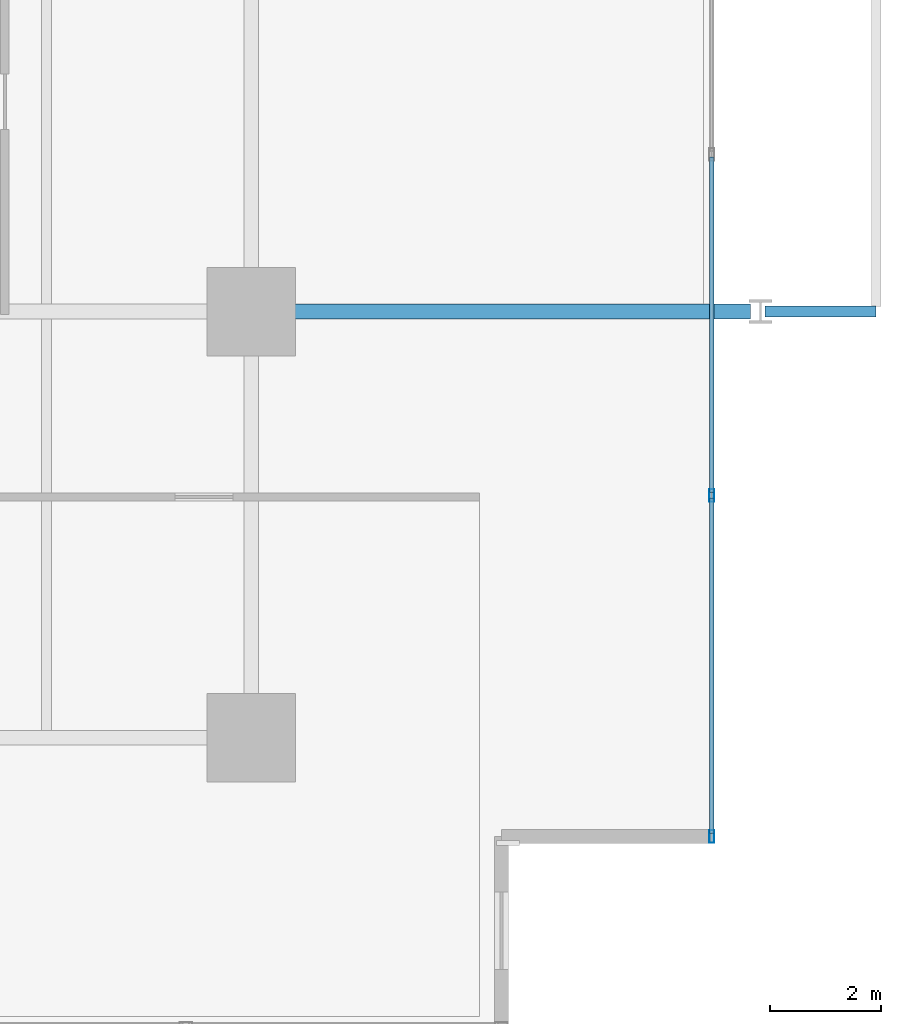
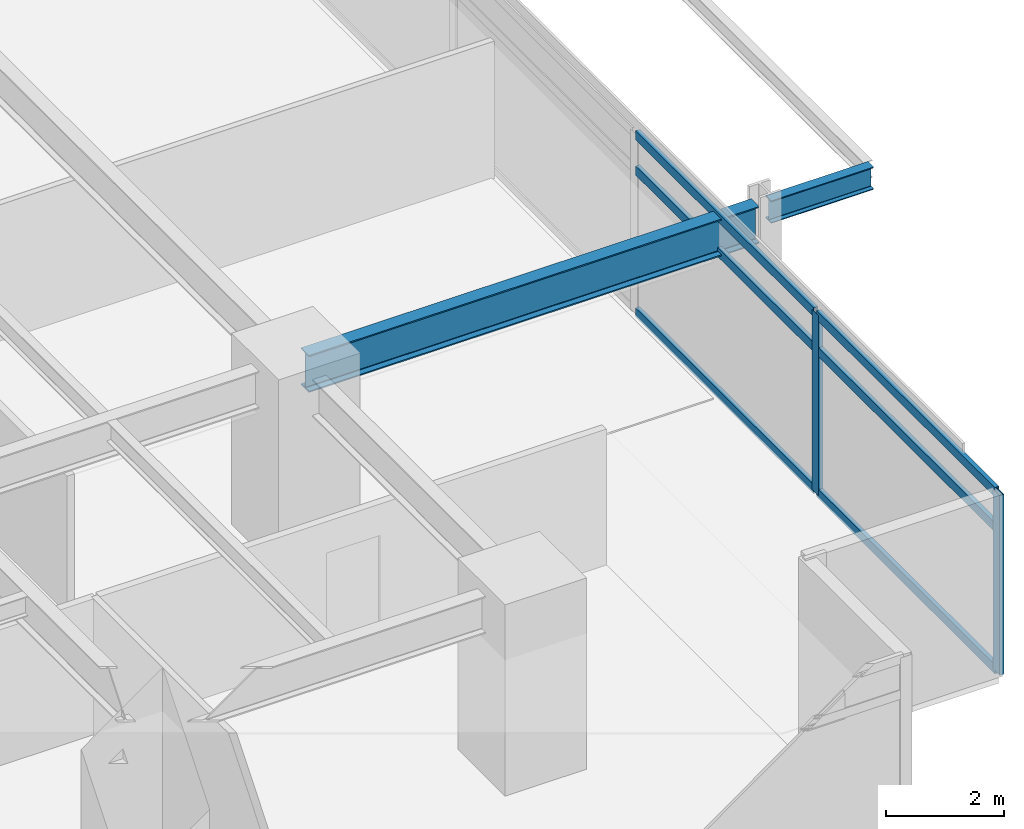
# One storey, part 8 of 23: 8 members, 2 beams, 1 element without a shape of its own.
"""IFC4 building model written with IfcOpenShell, lengths in metres."""

from ifc_helpers import new_model, si_unit, direction, frame, origin, origin_2d, place, context, subcontext, project, spatial, hollow_rectangle, i_section, extrude, material, material_profile, profile_set, type_object, element, aggregate, save


model = new_model("IFC4")

# Units and contexts
model_context = context("Model", 3, precision=1e-05, world=origin(), true_north=direction((0.0, 1.0)))
body_context = subcontext(model_context, "Body", "Model", "MODEL_VIEW")
ifc_project = project(units=[si_unit("LENGTHUNIT", "METRE"), si_unit("AREAUNIT", "SQUARE_METRE"), si_unit("VOLUMEUNIT", "CUBIC_METRE"), si_unit("PLANEANGLEUNIT", "RADIAN"), si_unit("MASSUNIT", "GRAM", prefix="KILO")], contexts=[model_context])

# Site, building, storey
site_placement = place(None, origin())
site = spatial("IfcSite", under=ifc_project, at=site_placement, CompositionType="ELEMENT")
building_placement = place(site_placement, origin())
building = spatial("IfcBuilding", under=site, at=building_placement, Name="Kovane Verandah Tower", CompositionType="ELEMENT")
storey_placement = place(building_placement, frame((0.0, 0.0, 168.39990234375)))
storey = spatial("IfcBuildingStorey", under=building, at=storey_placement, Name="L39", CompositionType="ELEMENT", Elevation=168.39990234375)

# Beam
ifc_material_1 = material(Name="Steel S355", Category="steel")
ifc_material_profile_1 = material_profile(ifc_material_1, i_section(OverallWidth=0.26806640625, OverallDepth=0.769775390625, WebThickness=0.015625, FlangeThickness=0.025390625, FilletRadius=0.0166015625, at=origin_2d()), Name="UB762x267x197")
ifc_profile_set_1 = profile_set([ifc_material_profile_1], Name="Steel S355")
beam_type_1 = type_object("IfcBeamType", Name="BM-UB762x197", PredefinedType="BEAM", material=ifc_profile_set_1)
beam_1_placement = place(storey_placement, frame((58.580078125, 18.5, 3.375244140625), z_axis=(1.0, 0.0, 0.0), x_axis=(0.0, 1.0, 0.0)))
element("IfcBeam", 1, at=beam_1_placement, inside=storey, type_object=beam_type_1, Name="L39 Primary Tower Girder G-VE1", PredefinedType="BEAM", context=body_context, shape_type="SweptSolid", body=[
    extrude(i_section(OverallWidth=0.26806640625, OverallDepth=0.769775390625, WebThickness=0.015625, FlangeThickness=0.025390625, FilletRadius=0.0166015625, at=origin_2d()), origin(), (0.0, 0.0, 1.0), 8.83984375),
])

# Curtain wall, members
ifc_material_2 = material(Name="Champagne Anodised Aluminium Frame with Low-E Clear Laminated Glass", Category="aluminium")
curtain_wall_type = type_object("IfcCurtainWallType", Name="CW-SYS-03-MID", PredefinedType="NOTDEFINED", material=ifc_material_2)
curtain_wall_placement = place(storey_placement, origin())
curtain_wall = element("IfcCurtainWall", 2, at=curtain_wall_placement, inside=storey, type_object=curtain_wall_type, Name="L39 E Unitised Curtain Wall", PredefinedType="NOTDEFINED")
ifc_material_3 = material(Name="Champagne Anodised Aluminium 6063-T6", Category="aluminium")
ifc_material_profile_2 = material_profile(ifc_material_3, hollow_rectangle(XDim=0.0849609375, YDim=0.22998046875, WallThickness=0.00390625, at=origin_2d()), Name="AL85x230x4")
ifc_profile_set_2 = profile_set([ifc_material_profile_2], Name="Champagne Anodised Aluminium 6063-T6")
member_type_1 = type_object("IfcMemberType", Name="CW-MUL-85x230", PredefinedType="MULLION", material=ifc_profile_set_2)
member_1_placement = place(storey_placement, frame((66.7197265625, 9.017822265625, 0.02001953125), z_axis=(0.0, 0.0, 1.0), x_axis=(1.0, 0.0, 0.0)))
member_1 = element("IfcMember", 3, at=member_1_placement, type_object=member_type_1, Name="L39 E Unitised Curtain Wall Mullion 1", PredefinedType="MULLION", context=body_context, shape_type="SweptSolid", body=[
    extrude(hollow_rectangle(XDim=0.0849609375, YDim=0.22998046875, WallThickness=0.00390625, at=origin_2d()), origin(), (0.0, 0.0, 1.0), 3.735107421875),
])
member_2_placement = place(storey_placement, frame((66.7197265625, 15.178466796875, 0.02001953125), z_axis=(0.0, 0.0, 1.0), x_axis=(1.0, 0.0, 0.0)))
member_2 = element("IfcMember", 4, at=member_2_placement, type_object=member_type_1, Name="L39 E Unitised Curtain Wall Mullion 2", PredefinedType="MULLION", context=body_context, shape_type="SweptSolid", body=[
    extrude(hollow_rectangle(XDim=0.0849609375, YDim=0.22998046875, WallThickness=0.00390625, at=origin_2d()), origin(), (0.0, 0.0, 1.0), 3.735107421875),
])
ifc_material_profile_3 = material_profile(ifc_material_3, hollow_rectangle(XDim=0.0849609375, YDim=0.18994140625, WallThickness=0.00390625, at=origin_2d()), Name="AL85x190x4")
ifc_profile_set_3 = profile_set([ifc_material_profile_3], Name="Champagne Anodised Aluminium 6063-T6")
member_type_2 = type_object("IfcMemberType", Name="CW-TRN-85x190", PredefinedType="USERDEFINED", material=ifc_profile_set_3)
member_3_placement = place(storey_placement, frame((66.7197265625, 9.06787109375, 0.050048828125), z_axis=(0.0, 1.0, 0.0), x_axis=(-1.0, 0.0, 0.0)))
member_3 = element("IfcMember", 5, at=member_3_placement, type_object=member_type_2, Name="L39 E Unitised Curtain Wall Transom TB Bay 1", ObjectType="TRANSOM", PredefinedType="USERDEFINED", context=body_context, shape_type="SweptSolid", body=[
    extrude(hollow_rectangle(XDim=0.0849609375, YDim=0.18994140625, WallThickness=0.00390625, at=origin_2d()), origin(), (0.0, 0.0, 1.0), 6.060546875),
])
member_4_placement = place(storey_placement, frame((66.7197265625, 9.06787109375, 2.9951171875), z_axis=(0.0, 1.0, 0.0), x_axis=(-1.0, 0.0, 0.0)))
member_4 = element("IfcMember", 6, at=member_4_placement, type_object=member_type_2, Name="L39 E Unitised Curtain Wall Transom TM Bay 1", ObjectType="TRANSOM", PredefinedType="USERDEFINED", context=body_context, shape_type="SweptSolid", body=[
    extrude(hollow_rectangle(XDim=0.0849609375, YDim=0.18994140625, WallThickness=0.00390625, at=origin_2d()), origin(), (0.0, 0.0, 1.0), 6.060546875),
])
member_5_placement = place(storey_placement, frame((66.7197265625, 9.06787109375, 3.72509765625), z_axis=(0.0, 1.0, 0.0), x_axis=(-1.0, 0.0, 0.0)))
member_5 = element("IfcMember", 7, at=member_5_placement, type_object=member_type_2, Name="L39 E Unitised Curtain Wall Transom TT Bay 1", ObjectType="TRANSOM", PredefinedType="USERDEFINED", context=body_context, shape_type="SweptSolid", body=[
    extrude(hollow_rectangle(XDim=0.0849609375, YDim=0.18994140625, WallThickness=0.00390625, at=origin_2d()), origin(), (0.0, 0.0, 1.0), 6.060546875),
])
member_6_placement = place(storey_placement, frame((66.7197265625, 15.228515625, 0.050048828125), z_axis=(0.0, 1.0, 0.0), x_axis=(-1.0, 0.0, 0.0)))
member_6 = element("IfcMember", 8, at=member_6_placement, type_object=member_type_2, Name="L39 E Unitised Curtain Wall Transom TB Bay 2", ObjectType="TRANSOM", PredefinedType="USERDEFINED", context=body_context, shape_type="SweptSolid", body=[
    extrude(hollow_rectangle(XDim=0.0849609375, YDim=0.18994140625, WallThickness=0.00390625, at=origin_2d()), origin(), (0.0, 0.0, 1.0), 6.060791015625),
])
member_7_placement = place(storey_placement, frame((66.7197265625, 15.228515625, 2.9951171875), z_axis=(0.0, 1.0, 0.0), x_axis=(-1.0, 0.0, 0.0)))
member_7 = element("IfcMember", 9, at=member_7_placement, type_object=member_type_2, Name="L39 E Unitised Curtain Wall Transom TM Bay 2", ObjectType="TRANSOM", PredefinedType="USERDEFINED", context=body_context, shape_type="SweptSolid", body=[
    extrude(hollow_rectangle(XDim=0.0849609375, YDim=0.18994140625, WallThickness=0.00390625, at=origin_2d()), origin(), (0.0, 0.0, 1.0), 6.060791015625),
])
member_8_placement = place(storey_placement, frame((66.7197265625, 15.228515625, 3.72509765625), z_axis=(0.0, 1.0, 0.0), x_axis=(-1.0, 0.0, 0.0)))
member_8 = element("IfcMember", 10, at=member_8_placement, type_object=member_type_2, Name="L39 E Unitised Curtain Wall Transom TT Bay 2", ObjectType="TRANSOM", PredefinedType="USERDEFINED", context=body_context, shape_type="SweptSolid", body=[
    extrude(hollow_rectangle(XDim=0.0849609375, YDim=0.18994140625, WallThickness=0.00390625, at=origin_2d()), origin(), (0.0, 0.0, 1.0), 6.060791015625),
])
aggregate(curtain_wall, [member_1, member_2, member_3, member_4, member_5, member_6, member_7, member_8])

# Beam
ifc_material_profile_4 = material_profile(ifc_material_1, i_section(OverallWidth=0.19287109375, OverallDepth=0.46728515625, WebThickness=0.011474609375, FlangeThickness=0.01953125, FilletRadius=0.01025390625, at=origin_2d()), Name="UB457x191x98")
ifc_profile_set_4 = profile_set([ifc_material_profile_4], Name="Steel S355")
beam_type_2 = type_object("IfcBeamType", Name="JST-UB457x98", PredefinedType="JOIST", material=ifc_profile_set_4)
beam_2_placement = place(storey_placement, frame((67.679931640625, 18.5, 3.526611328125), z_axis=(1.0, 0.0, 0.0), x_axis=(0.0, 1.0, 0.0)))
element("IfcBeam", 11, at=beam_2_placement, inside=storey, type_object=beam_type_2, Name="L39 East Planter Girder 1", PredefinedType="JOIST", context=body_context, shape_type="SweptSolid", body=[
    extrude(i_section(OverallWidth=0.19287109375, OverallDepth=0.46728515625, WebThickness=0.011474609375, FlangeThickness=0.01953125, FilletRadius=0.01025390625, at=origin_2d()), origin(), (0.0, 0.0, 1.0), 2.0087890625),
])

save(model, "model.ifc")
